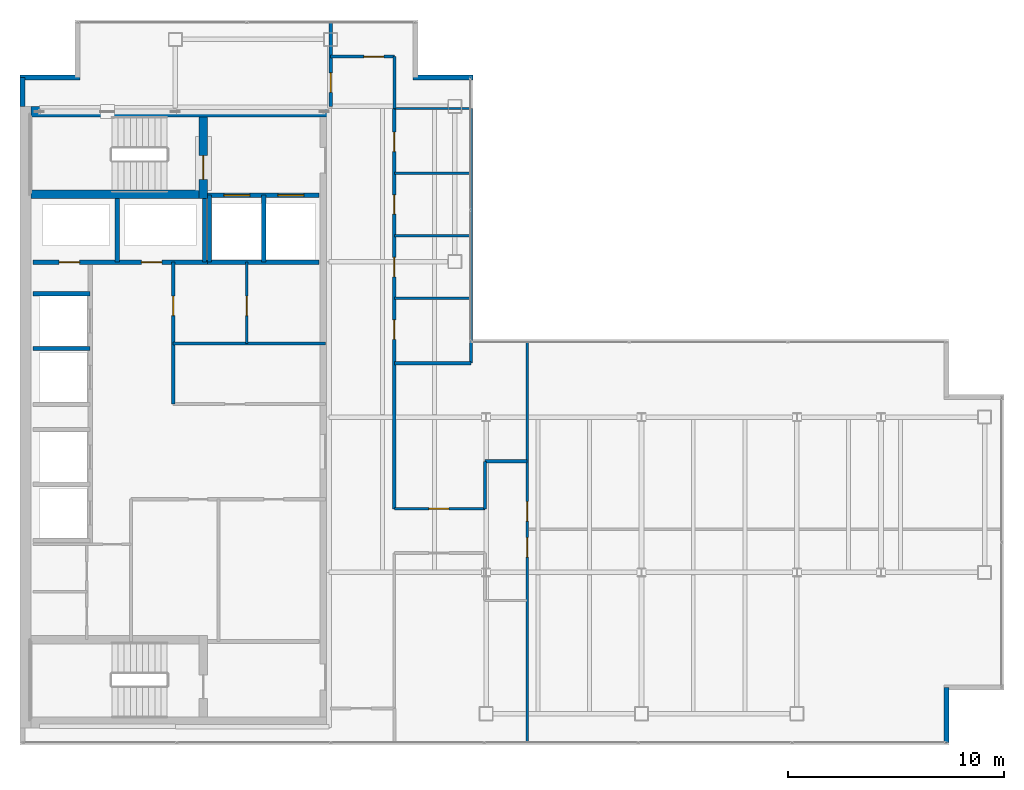
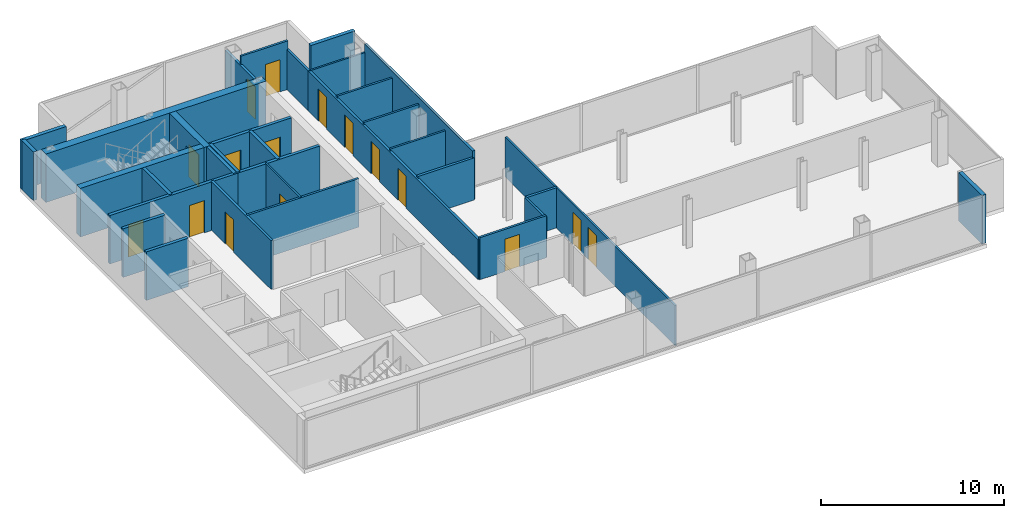
# One storey, part 21 of 23: 33 walls, 16 doors, 16 openings.
"""IFC4 building model written with IfcOpenShell, lengths in metres."""

from ifc_helpers import new_model, si_unit, direction, frame, frame_2d, origin, place, context, subcontext, project, spatial, rectangle, extrude, material, layer, layer_set, type_object, element, fill, save


model = new_model("IFC4")

# Units and contexts
model_context = context("Model", 3, precision=1e-05, world=origin(), true_north=direction((0.0, 1.0)))
body_context = subcontext(model_context, "Body", "Model", "MODEL_VIEW")
ifc_project = project(units=[si_unit("LENGTHUNIT", "METRE"), si_unit("AREAUNIT", "SQUARE_METRE"), si_unit("VOLUMEUNIT", "CUBIC_METRE"), si_unit("PLANEANGLEUNIT", "RADIAN"), si_unit("MASSUNIT", "GRAM", prefix="KILO")], contexts=[model_context])

# Site, building, storey
site_placement = place(None, origin())
site = spatial("IfcSite", under=ifc_project, at=site_placement, CompositionType="ELEMENT")
building_placement = place(site_placement, origin())
building = spatial("IfcBuilding", under=site, at=building_placement, Name="Cobrela Telecom Tower", CompositionType="ELEMENT")
storey_placement = place(building_placement, frame((0.0, 0.0, 258.64990234375)))
storey = spatial("IfcBuildingStorey", under=building, at=storey_placement, Name="L67", CompositionType="ELEMENT", Elevation=258.64990234375)

# Walls
ifc_material_1 = material(Name="Concrete C40/50", Category="concrete")
ifc_layer_1 = layer(ifc_material_1, 0.5)
ifc_layer_set_1 = layer_set([ifc_layer_1], Name="Concrete C40/50")
wall_type_1 = type_object("IfcWallType", Name="WALL-CORE-C40-500", PredefinedType="SHEAR", material=ifc_layer_set_1)
wall_1_placement = place(storey_placement, frame((0.5, 35.75, 0.0), z_axis=(0.0, 0.0, 1.0), x_axis=(1.0, 0.0, 0.0)))
element("IfcWall", 1, at=wall_1_placement, inside=storey, type_object=wall_type_1, Name="L67 North Core Shear Wall", PredefinedType="SHEAR", context=body_context, shape_type="SweptSolid", body=[
    extrude(rectangle(XDim=13.89990234375, YDim=0.5, at=frame_2d((6.949951171875, 0.0))), origin(), (0.0, 0.0, 1.0), 3.239990234375),
])
ifc_layer_2 = layer(ifc_material_1, 0.239990234375)
ifc_layer_set_2 = layer_set([ifc_layer_2], Name="Concrete C40/50")
wall_type_2 = type_object("IfcWallType", Name="WALL-EXT-300", PredefinedType="STANDARD", material=ifc_layer_set_2)
wall_2_placement = place(storey_placement, frame((0.1201171875, 36.0, 0.0), z_axis=(0.0, 0.0, 1.0), x_axis=(0.0, 1.0, 0.0)))
element("IfcWall", 2, at=wall_2_placement, inside=storey, type_object=wall_type_2, Name="L67 Insulated Facade Wall 02", PredefinedType="STANDARD", context=body_context, shape_type="SweptSolid", body=[
    extrude(rectangle(XDim=1.330078125, YDim=0.239990234375, at=frame_2d((0.6650390625, 0.0))), origin(), (0.0, 0.0, 1.0), 3.239990234375),
])
for number, where, z_axis, x_axis, name in (
    (3, (0.0, 37.330078125, 0.0), (0.0, 0.0, 1.0), (1.0, 0.0, 0.0), "L67 Insulated Facade Wall 03"),
    (4, (18.2099609375, 37.330078125, 0.0), (0.0, 0.0, 1.0), (1.0, 0.0, 0.0), "L67 Insulated Facade Wall 07"),
):
    element("IfcWall", number, at=place(storey_placement, frame(where, z_axis=z_axis, x_axis=x_axis)), inside=storey, type_object=wall_type_2, Name=name, PredefinedType="STANDARD", context=body_context, shape_type="SweptSolid", body=[
        extrude(rectangle(XDim=2.7900390625, YDim=0.239990234375, at=frame_2d((1.39501953125, 0.0))), origin(), (0.0, 0.0, 1.0), 3.239990234375),
    ])
wall_3_placement = place(storey_placement, frame((42.929931640625, 9.070068359375, 0.0), z_axis=(0.0, 0.0, 1.0), x_axis=(0.0, -1.0, 0.0)))
element("IfcWall", 5, at=wall_3_placement, inside=storey, type_object=wall_type_2, Name="L67 Insulated Facade Wall 14", PredefinedType="STANDARD", context=body_context, shape_type="SweptSolid", body=[
    extrude(rectangle(XDim=2.550048828125, YDim=0.239990234375, at=frame_2d((1.27490234375, 0.0))), origin(), (0.0, 0.0, 1.0), 3.239990234375),
])

# Wall, opening, door
ifc_material_2 = material(Name="Fire-Rated Gypsum Plasterboard")
ifc_layer_3 = layer(ifc_material_2, 0.110107421875)
ifc_layer_set_3 = layer_set([ifc_layer_3], Name="Fire-Rated Gypsum Plasterboard")
wall_type_3 = type_object("IfcWallType", Name="WALL-PART-110", PredefinedType="PARTITIONING", material=ifc_layer_set_3)
wall_4_placement = place(storey_placement, frame((10.5, 25.0, 0.0), z_axis=(0.0, 0.0, 1.0), x_axis=(0.0, 1.0, 0.0)))
wall_4 = element("IfcWall", 6, at=wall_4_placement, inside=storey, type_object=wall_type_3, Name="L67 Interior Partition CW-RECL-VN", PredefinedType="PARTITIONING", context=body_context, shape_type="SweptSolid", body=[
    extrude(rectangle(XDim=3.780029296875, YDim=0.110107421875, at=frame_2d((1.89013671875, 0.0))), origin(), (0.0, 0.0, 1.0), 3.239990234375),
])
opening_1_placement = place(wall_4_placement, frame((1.300048828125, 0.0, 0.0)))
opening_1 = element("IfcOpeningElement", 7, at=opening_1_placement, cuts=wall_4, Name="Opening DR-41", PredefinedType="OPENING", context=body_context, shape_type="SweptSolid", body=[
    extrude(rectangle(XDim=0.89990234375, YDim=2.14990234375, at=frame_2d((0.449951171875, 1.074951171875))), frame((0.0, 0.06689453125, 0.0), z_axis=(0.0, -1.0, 0.0), x_axis=(1.0, 0.0, 0.0)), (0.0, 0.0, 1.0), 0.134033203125),
])
ifc_material_3 = material(Name="Solid Engineered Oak Timber", Category="wood")
door_type_1 = type_object("IfcDoorType", Name="DOOR-INT-900", OperationType="SINGLE_SWING_LEFT", PredefinedType="DOOR", material=ifc_material_3)
door_1_placement = place(opening_1_placement, origin())
door_1 = element("IfcDoor", 8, at=door_1_placement, inside=storey, type_object=door_type_1, Name="L67 Door DR-41", OperationType="SINGLE_SWING_LEFT", OverallHeight=2.14990234375, OverallWidth=0.89990234375, PredefinedType="DOOR", context=body_context, shape_type="SweptSolid", body=[
    extrude(rectangle(XDim=0.89990234375, YDim=2.14990234375, at=frame_2d((0.449951171875, 1.074951171875))), frame((0.0, 0.02490234375, 0.0), z_axis=(0.0, -1.0, 0.0), x_axis=(1.0, 0.0, 0.0)), (0.0, 0.0, 1.0), 0.050048828125),
])
fill(opening_1, door_1)

# Wall, openings, doors
wall_5_placement = place(storey_placement, frame((23.5, 6.52001953125, 0.0), z_axis=(0.0, 0.0, 1.0), x_axis=(0.0, 1.0, 0.0)))
wall_5 = element("IfcWall", 9, at=wall_5_placement, inside=storey, type_object=wall_type_3, Name="L67 Interior Partition W-C-END", PredefinedType="PARTITIONING", context=body_context, shape_type="SweptSolid", body=[
    extrude(rectangle(XDim=18.56005859375, YDim=0.110107421875, at=frame_2d((9.280029296875, 0.0))), origin(), (0.0, 0.0, 1.0), 2.676025390625),
])
opening_2_placement = place(wall_5_placement, frame((8.590087890625, 0.0, 0.0)))
opening_2 = element("IfcOpeningElement", 10, at=opening_2_placement, cuts=wall_5, Name="Opening DR-41", PredefinedType="OPENING", context=body_context, shape_type="SweptSolid", body=[
    extrude(rectangle(XDim=0.89990234375, YDim=2.14990234375, at=frame_2d((0.449951171875, 1.074951171875))), frame((0.0, 0.06689453125, 0.0), z_axis=(0.0, -1.0, 0.0), x_axis=(1.0, 0.0, 0.0)), (0.0, 0.0, 1.0), 0.134033203125),
])
opening_3_placement = place(wall_5_placement, frame((10.260009765625, 0.0, 0.0)))
opening_3 = element("IfcOpeningElement", 11, at=opening_3_placement, cuts=wall_5, Name="Opening DR-41", PredefinedType="OPENING", context=body_context, shape_type="SweptSolid", body=[
    extrude(rectangle(XDim=0.89990234375, YDim=2.14990234375, at=frame_2d((0.449951171875, 1.074951171875))), frame((0.0, 0.06689453125, 0.0), z_axis=(0.0, -1.0, 0.0), x_axis=(1.0, 0.0, 0.0)), (0.0, 0.0, 1.0), 0.134033203125),
])
door_2_placement = place(opening_2_placement, origin())
door_2 = element("IfcDoor", 12, at=door_2_placement, inside=storey, type_object=door_type_1, Name="L67 Door DR-41", OperationType="SINGLE_SWING_LEFT", OverallHeight=2.14990234375, OverallWidth=0.89990234375, PredefinedType="DOOR", context=body_context, shape_type="SweptSolid", body=[
    extrude(rectangle(XDim=0.89990234375, YDim=2.14990234375, at=frame_2d((0.449951171875, 1.074951171875))), frame((0.0, 0.02490234375, 0.0), z_axis=(0.0, -1.0, 0.0), x_axis=(1.0, 0.0, 0.0)), (0.0, 0.0, 1.0), 0.050048828125),
])
fill(opening_2, door_2)
door_3_placement = place(opening_3_placement, origin())
door_3 = element("IfcDoor", 13, at=door_3_placement, inside=storey, type_object=door_type_1, Name="L67 Door DR-41", OperationType="SINGLE_SWING_RIGHT", OverallHeight=2.14990234375, OverallWidth=0.89990234375, PredefinedType="DOOR", context=body_context, shape_type="SweptSolid", body=[
    extrude(rectangle(XDim=0.89990234375, YDim=2.14990234375, at=frame_2d((0.449951171875, 1.074951171875))), frame((0.0, 0.02490234375, 0.0), z_axis=(0.0, -1.0, 0.0), x_axis=(1.0, 0.0, 0.0)), (0.0, 0.0, 1.0), 0.050048828125),
])
fill(opening_3, door_3)

# Walls
wall_6_placement = place(storey_placement, frame((17.35009765625, 35.89990234375, 0.0), z_axis=(0.0, 0.0, 1.0), x_axis=(1.0, 0.0, 0.0)))
element("IfcWall", 14, at=wall_6_placement, inside=storey, type_object=wall_type_3, Name="L67 Interior Partition W-NW2-S", PredefinedType="PARTITIONING", context=body_context, shape_type="SweptSolid", body=[
    extrude(rectangle(XDim=3.52978515625, YDim=0.110107421875, at=frame_2d((1.764892578125, 0.0))), origin(), (0.0, 0.0, 1.0), 2.676025390625),
])
ifc_layer_4 = layer(ifc_material_2, 0.125)
ifc_layer_set_4 = layer_set([ifc_layer_4], Name="Fire-Rated Gypsum Plasterboard")
wall_type_4 = type_object("IfcWallType", Name="WALL-PART-125", PredefinedType="PARTITIONING", material=ifc_layer_set_4)
for number, where, z_axis, x_axis, name in (
    (15, (17.35009765625, 27.10009765625, 0.0), (0.0, 0.0, 1.0), (1.0, 0.0, 0.0), "L67 Interior Partition W-WCD-1"),
    (16, (17.35009765625, 30.0, 0.0), (0.0, 0.0, 1.0), (1.0, 0.0, 0.0), "L67 Interior Partition W-WCD-2"),
    (17, (17.35009765625, 32.89990234375, 0.0), (0.0, 0.0, 1.0), (1.0, 0.0, 0.0), "L67 Interior Partition W-WCD-3"),
):
    element("IfcWall", number, at=place(storey_placement, frame(where, z_axis=z_axis, x_axis=x_axis)), inside=storey, type_object=wall_type_4, Name=name, PredefinedType="PARTITIONING", context=body_context, shape_type="SweptSolid", body=[
        extrude(rectangle(XDim=3.5498046875, YDim=0.125, at=frame_2d((1.77490234375, 0.0))), origin(), (0.0, 0.0, 1.0), 2.80810546875),
    ])
ifc_layer_5 = layer(ifc_material_2, 0.135009765625)
ifc_layer_set_5 = layer_set([ifc_layer_5], Name="Fire-Rated Gypsum Plasterboard")
wall_type_5 = type_object("IfcWallType", Name="WALL-PART-135", PredefinedType="PARTITIONING", material=ifc_layer_set_5)
wall_7_placement = place(storey_placement, frame((7.10009765625, 25.0, 0.0), z_axis=(0.0, 0.0, 1.0), x_axis=(1.0, 0.0, 0.0)))
element("IfcWall", 18, at=wall_7_placement, inside=storey, type_object=wall_type_5, Name="L67 Interior Partition CW-RECL-H", PredefinedType="PARTITIONING", context=body_context, shape_type="SweptSolid", body=[
    extrude(rectangle(XDim=7.0498046875, YDim=0.135009765625, at=frame_2d((3.52490234375, 0.0))), origin(), (0.0, 0.0, 1.0), 3.239990234375),
])

# Wall, opening, door
wall_8_placement = place(storey_placement, frame((17.35009765625, 17.35009765625, 0.0), z_axis=(0.0, 0.0, 1.0), x_axis=(1.0, 0.0, 0.0)))
wall_8 = element("IfcWall", 19, at=wall_8_placement, inside=storey, type_object=wall_type_5, Name="L67 Interior Partition W-C-HN", PredefinedType="PARTITIONING", context=body_context, shape_type="SweptSolid", body=[
    extrude(rectangle(XDim=4.199951171875, YDim=0.135009765625, at=frame_2d((2.10009765625, 0.0))), origin(), (0.0, 0.0, 1.0), 2.80810546875),
])
opening_4_placement = place(wall_8_placement, frame((1.60009765625, 0.0, 0.0)))
opening_4 = element("IfcOpeningElement", 20, at=opening_4_placement, cuts=wall_8, Name="Opening DR-45", PredefinedType="OPENING", context=body_context, shape_type="SweptSolid", body=[
    extrude(rectangle(XDim=0.919921875, YDim=2.14990234375, at=frame_2d((0.4599609375, 1.074951171875))), frame((0.0, 0.07958984375, 0.0), z_axis=(0.0, -1.0, 0.0), x_axis=(1.0, 0.0, 0.0)), (0.0, 0.0, 1.0), 0.158935546875),
])
door_type_2 = type_object("IfcDoorType", Name="DOOR-INT-920", OperationType="SINGLE_SWING_LEFT", PredefinedType="DOOR", material=ifc_material_3)
door_4_placement = place(opening_4_placement, origin())
door_4 = element("IfcDoor", 21, at=door_4_placement, inside=storey, type_object=door_type_2, Name="L67 Door DR-45", OperationType="SINGLE_SWING_LEFT", OverallHeight=2.14990234375, OverallWidth=0.919921875, PredefinedType="DOOR", context=body_context, shape_type="SweptSolid", body=[
    extrude(rectangle(XDim=0.919921875, YDim=2.14990234375, at=frame_2d((0.4599609375, 1.074951171875))), frame((0.0, 0.02490234375, 0.0), z_axis=(0.0, -1.0, 0.0), x_axis=(1.0, 0.0, 0.0)), (0.0, 0.0, 1.0), 0.050048828125),
])
fill(opening_4, door_4)

# Wall
wall_9_placement = place(storey_placement, frame((21.550048828125, 17.35009765625, 0.0), z_axis=(0.0, 0.0, 1.0), x_axis=(0.0, 1.0, 0.0)))
element("IfcWall", 22, at=wall_9_placement, inside=storey, type_object=wall_type_5, Name="L67 Interior Partition W-CT-JW2", PredefinedType="PARTITIONING", context=body_context, shape_type="SweptSolid", body=[
    extrude(rectangle(XDim=2.199951171875, YDim=0.135009765625, at=frame_2d((1.10009765625, 0.0))), origin(), (0.0, 0.0, 1.0), 2.676025390625),
])

# Wall, opening, door
wall_10_placement = place(storey_placement, frame((14.39990234375, 38.300048828125, 0.0), z_axis=(0.0, 0.0, 1.0), x_axis=(1.0, 0.0, 0.0)))
wall_10 = element("IfcWall", 23, at=wall_10_placement, inside=storey, type_object=wall_type_5, Name="L67 Interior Partition W-CN-T", PredefinedType="PARTITIONING", context=body_context, shape_type="SweptSolid", body=[
    extrude(rectangle(XDim=2.9501953125, YDim=0.135009765625, at=frame_2d((1.47509765625, 0.0))), origin(), (0.0, 0.0, 1.0), 3.239990234375),
])
opening_5_placement = place(wall_10_placement, frame((1.5400390625, 0.0, 0.0)))
opening_5 = element("IfcOpeningElement", 24, at=opening_5_placement, cuts=wall_10, Name="Opening DR-45", PredefinedType="OPENING", context=body_context, shape_type="SweptSolid", body=[
    extrude(rectangle(XDim=0.919921875, YDim=2.14990234375, at=frame_2d((0.4599609375, 1.074951171875))), frame((0.0, 0.07958984375, 0.0), z_axis=(0.0, -1.0, 0.0), x_axis=(1.0, 0.0, 0.0)), (0.0, 0.0, 1.0), 0.158935546875),
])
door_5_placement = place(opening_5_placement, origin())
door_5 = element("IfcDoor", 25, at=door_5_placement, inside=storey, type_object=door_type_2, Name="L67 Door DR-45", OperationType="SINGLE_SWING_RIGHT", OverallHeight=2.14990234375, OverallWidth=0.919921875, PredefinedType="DOOR", context=body_context, shape_type="SweptSolid", body=[
    extrude(rectangle(XDim=0.919921875, YDim=2.14990234375, at=frame_2d((0.4599609375, 1.074951171875))), frame((0.0, 0.02490234375, 0.0), z_axis=(0.0, -1.0, 0.0), x_axis=(1.0, 0.0, 0.0)), (0.0, 0.0, 1.0), 0.050048828125),
])
fill(opening_5, door_5)

# Walls
ifc_layer_6 = layer(ifc_material_2, 0.14990234375)
ifc_layer_set_6 = layer_set([ifc_layer_6], Name="Fire-Rated Gypsum Plasterboard")
wall_type_6 = type_object("IfcWallType", Name="WALL-PART-150", PredefinedType="PARTITIONING", material=ifc_layer_set_6)
wall_11_placement = place(storey_placement, frame((17.35009765625, 35.89990234375, 0.0), z_axis=(0.0, 0.0, 1.0), x_axis=(0.0, 1.0, 0.0)))
element("IfcWall", 26, at=wall_11_placement, inside=storey, type_object=wall_type_6, Name="L67 Interior Partition W-CN-E", PredefinedType="PARTITIONING", context=body_context, shape_type="SweptSolid", body=[
    extrude(rectangle(XDim=2.400146484375, YDim=0.14990234375, at=frame_2d((1.2001953125, 0.0))), origin(), (0.0, 0.0, 1.0), 2.676025390625),
])
wall_12_placement = place(storey_placement, frame((20.89990234375, 24.10009765625, 0.0), z_axis=(0.0, 0.0, 1.0), x_axis=(0.0, 1.0, 0.0)))
element("IfcWall", 27, at=wall_12_placement, inside=storey, type_object=wall_type_6, Name="L67 Interior Partition W-WC-E", PredefinedType="PARTITIONING", context=body_context, shape_type="SweptSolid", body=[
    extrude(rectangle(XDim=11.7998046875, YDim=0.14990234375, at=frame_2d((5.89990234375, 0.0))), origin(), (0.0, 0.0, 1.0), 3.239990234375),
])

# Wall, opening, door
ifc_layer_7 = layer(ifc_material_2, 0.159912109375)
ifc_layer_set_7 = layer_set([ifc_layer_7], Name="Fire-Rated Gypsum Plasterboard")
wall_type_7 = type_object("IfcWallType", Name="WALL-PART-160", PredefinedType="PARTITIONING", material=ifc_layer_set_7)
wall_13_placement = place(storey_placement, frame((7.10009765625, 22.199951171875, 0.0), z_axis=(0.0, 0.0, 1.0), x_axis=(0.0, 1.0, 0.0)))
wall_13 = element("IfcWall", 28, at=wall_13_placement, inside=storey, type_object=wall_type_7, Name="L67 Interior Partition CW-RECL-W", PredefinedType="PARTITIONING", context=body_context, shape_type="SweptSolid", body=[
    extrude(rectangle(XDim=6.580078125, YDim=0.159912109375, at=frame_2d((3.2900390625, 0.0))), origin(), (0.0, 0.0, 1.0), 3.239990234375),
])
opening_6_placement = place(wall_13_placement, frame((4.10009765625, 0.0, 0.0)))
opening_6 = element("IfcOpeningElement", 29, at=opening_6_placement, cuts=wall_13, Name="Opening DR-41", PredefinedType="OPENING", context=body_context, shape_type="SweptSolid", body=[
    extrude(rectangle(XDim=0.89990234375, YDim=2.14990234375, at=frame_2d((0.449951171875, 1.074951171875))), frame((0.0, 0.091796875, 0.0), z_axis=(0.0, -1.0, 0.0), x_axis=(1.0, 0.0, 0.0)), (0.0, 0.0, 1.0), 0.183837890625),
])
door_6_placement = place(opening_6_placement, origin())
door_6 = element("IfcDoor", 30, at=door_6_placement, inside=storey, type_object=door_type_1, Name="L67 Door DR-41", OperationType="SINGLE_SWING_RIGHT", OverallHeight=2.14990234375, OverallWidth=0.89990234375, PredefinedType="DOOR", context=body_context, shape_type="SweptSolid", body=[
    extrude(rectangle(XDim=0.89990234375, YDim=2.14990234375, at=frame_2d((0.449951171875, 1.074951171875))), frame((0.0, 0.02490234375, 0.0), z_axis=(0.0, -1.0, 0.0), x_axis=(1.0, 0.0, 0.0)), (0.0, 0.0, 1.0), 0.050048828125),
])
fill(opening_6, door_6)

# Wall, openings, doors
wall_14_placement = place(storey_placement, frame((17.35009765625, 17.35009765625, 0.0), z_axis=(0.0, 0.0, 1.0), x_axis=(0.0, 1.0, 0.0)))
wall_14 = element("IfcWall", 31, at=wall_14_placement, inside=storey, type_object=wall_type_7, Name="L67 Interior Partition W-C-E2", PredefinedType="PARTITIONING", context=body_context, shape_type="SweptSolid", body=[
    extrude(rectangle(XDim=18.5498046875, YDim=0.159912109375, at=frame_2d((9.27490234375, 0.0))), origin(), (0.0, 0.0, 1.0), 2.676025390625),
])
opening_7_placement = place(wall_14_placement, frame((7.85009765625, 0.0, 0.0)))
opening_7 = element("IfcOpeningElement", 32, at=opening_7_placement, cuts=wall_14, Name="Opening DR-41", PredefinedType="OPENING", context=body_context, shape_type="SweptSolid", body=[
    extrude(rectangle(XDim=0.89990234375, YDim=2.14990234375, at=frame_2d((0.449951171875, 1.074951171875))), frame((0.0, 0.091796875, 0.0), z_axis=(0.0, -1.0, 0.0), x_axis=(1.0, 0.0, 0.0)), (0.0, 0.0, 1.0), 0.183837890625),
])
opening_8_placement = place(wall_14_placement, frame((10.75, 0.0, 0.0)))
opening_8 = element("IfcOpeningElement", 33, at=opening_8_placement, cuts=wall_14, Name="Opening DR-41", PredefinedType="OPENING", context=body_context, shape_type="SweptSolid", body=[
    extrude(rectangle(XDim=0.89990234375, YDim=2.14990234375, at=frame_2d((0.449951171875, 1.074951171875))), frame((0.0, 0.091796875, 0.0), z_axis=(0.0, -1.0, 0.0), x_axis=(1.0, 0.0, 0.0)), (0.0, 0.0, 1.0), 0.183837890625),
])
opening_9_placement = place(wall_14_placement, frame((13.64990234375, 0.0, 0.0)))
opening_9 = element("IfcOpeningElement", 34, at=opening_9_placement, cuts=wall_14, Name="Opening DR-41", PredefinedType="OPENING", context=body_context, shape_type="SweptSolid", body=[
    extrude(rectangle(XDim=0.89990234375, YDim=2.14990234375, at=frame_2d((0.449951171875, 1.074951171875))), frame((0.0, 0.091796875, 0.0), z_axis=(0.0, -1.0, 0.0), x_axis=(1.0, 0.0, 0.0)), (0.0, 0.0, 1.0), 0.183837890625),
])
opening_10_placement = place(wall_14_placement, frame((16.550048828125, 0.0, 0.0)))
opening_10 = element("IfcOpeningElement", 35, at=opening_10_placement, cuts=wall_14, Name="Opening DR-41", PredefinedType="OPENING", context=body_context, shape_type="SweptSolid", body=[
    extrude(rectangle(XDim=0.89990234375, YDim=2.14990234375, at=frame_2d((0.449951171875, 1.074951171875))), frame((0.0, 0.091796875, 0.0), z_axis=(0.0, -1.0, 0.0), x_axis=(1.0, 0.0, 0.0)), (0.0, 0.0, 1.0), 0.183837890625),
])
door_7_placement = place(opening_7_placement, origin())
door_7 = element("IfcDoor", 36, at=door_7_placement, inside=storey, type_object=door_type_1, Name="L67 Door DR-41", OperationType="SINGLE_SWING_LEFT", OverallHeight=2.14990234375, OverallWidth=0.89990234375, PredefinedType="DOOR", context=body_context, shape_type="SweptSolid", body=[
    extrude(rectangle(XDim=0.89990234375, YDim=2.14990234375, at=frame_2d((0.449951171875, 1.074951171875))), frame((0.0, 0.02490234375, 0.0), z_axis=(0.0, -1.0, 0.0), x_axis=(1.0, 0.0, 0.0)), (0.0, 0.0, 1.0), 0.050048828125),
])
fill(opening_7, door_7)
door_8_placement = place(opening_8_placement, origin())
door_8 = element("IfcDoor", 37, at=door_8_placement, inside=storey, type_object=door_type_1, Name="L67 Door DR-41", OperationType="SINGLE_SWING_RIGHT", OverallHeight=2.14990234375, OverallWidth=0.89990234375, PredefinedType="DOOR", context=body_context, shape_type="SweptSolid", body=[
    extrude(rectangle(XDim=0.89990234375, YDim=2.14990234375, at=frame_2d((0.449951171875, 1.074951171875))), frame((0.0, 0.02490234375, 0.0), z_axis=(0.0, -1.0, 0.0), x_axis=(1.0, 0.0, 0.0)), (0.0, 0.0, 1.0), 0.050048828125),
])
fill(opening_8, door_8)
door_9_placement = place(opening_9_placement, origin())
door_9 = element("IfcDoor", 38, at=door_9_placement, inside=storey, type_object=door_type_1, Name="L67 Door DR-41", OperationType="SINGLE_SWING_LEFT", OverallHeight=2.14990234375, OverallWidth=0.89990234375, PredefinedType="DOOR", context=body_context, shape_type="SweptSolid", body=[
    extrude(rectangle(XDim=0.89990234375, YDim=2.14990234375, at=frame_2d((0.449951171875, 1.074951171875))), frame((0.0, 0.02490234375, 0.0), z_axis=(0.0, -1.0, 0.0), x_axis=(1.0, 0.0, 0.0)), (0.0, 0.0, 1.0), 0.050048828125),
])
fill(opening_9, door_9)
door_10_placement = place(opening_10_placement, origin())
door_10 = element("IfcDoor", 39, at=door_10_placement, inside=storey, type_object=door_type_1, Name="L67 Door DR-41", OperationType="SINGLE_SWING_RIGHT", OverallHeight=2.14990234375, OverallWidth=0.89990234375, PredefinedType="DOOR", context=body_context, shape_type="SweptSolid", body=[
    extrude(rectangle(XDim=0.89990234375, YDim=2.14990234375, at=frame_2d((0.449951171875, 1.074951171875))), frame((0.0, 0.02490234375, 0.0), z_axis=(0.0, -1.0, 0.0), x_axis=(1.0, 0.0, 0.0)), (0.0, 0.0, 1.0), 0.050048828125),
])
fill(opening_10, door_10)

# Wall
wall_15_placement = place(storey_placement, frame((21.550048828125, 19.550048828125, 0.0), z_axis=(0.0, 0.0, 1.0), x_axis=(1.0, 0.0, 0.0)))
element("IfcWall", 40, at=wall_15_placement, inside=storey, type_object=wall_type_7, Name="L67 Interior Partition W-CT-N", PredefinedType="PARTITIONING", context=body_context, shape_type="SweptSolid", body=[
    extrude(rectangle(XDim=1.949951171875, YDim=0.159912109375, at=frame_2d((0.97509765625, 0.0))), origin(), (0.0, 0.0, 1.0), 2.676025390625),
])

# Wall, opening, door
wall_16_placement = place(storey_placement, frame((14.39990234375, 36.0, 0.0), z_axis=(0.0, 0.0, 1.0), x_axis=(0.0, 1.0, 0.0)))
wall_16 = element("IfcWall", 41, at=wall_16_placement, inside=storey, type_object=wall_type_7, Name="L67 Interior Partition W-CN-W", PredefinedType="PARTITIONING", context=body_context, shape_type="SweptSolid", body=[
    extrude(rectangle(XDim=3.8798828125, YDim=0.159912109375, at=frame_2d((1.93994140625, 0.0))), origin(), (0.0, 0.0, 1.0), 2.676025390625),
])
opening_11_placement = place(wall_16_placement, frame((0.64990234375, 0.0, 0.0)))
opening_11 = element("IfcOpeningElement", 42, at=opening_11_placement, cuts=wall_16, Name="Opening DR-41", PredefinedType="OPENING", context=body_context, shape_type="SweptSolid", body=[
    extrude(rectangle(XDim=0.89990234375, YDim=2.14990234375, at=frame_2d((0.449951171875, 1.074951171875))), frame((0.0, 0.091796875, 0.0), z_axis=(0.0, -1.0, 0.0), x_axis=(1.0, 0.0, 0.0)), (0.0, 0.0, 1.0), 0.183837890625),
])
door_11_placement = place(opening_11_placement, origin())
door_11 = element("IfcDoor", 43, at=door_11_placement, inside=storey, type_object=door_type_1, Name="L67 Door DR-41", OperationType="SINGLE_SWING_LEFT", OverallHeight=2.14990234375, OverallWidth=0.89990234375, PredefinedType="DOOR", context=body_context, shape_type="SweptSolid", body=[
    extrude(rectangle(XDim=0.89990234375, YDim=2.14990234375, at=frame_2d((0.449951171875, 1.074951171875))), frame((0.0, 0.02490234375, 0.0), z_axis=(0.0, -1.0, 0.0), x_axis=(1.0, 0.0, 0.0)), (0.0, 0.0, 1.0), 0.050048828125),
])
fill(opening_11, door_11)

# Wall
wall_17_placement = place(storey_placement, frame((17.35009765625, 24.10009765625, 0.0), z_axis=(0.0, 0.0, 1.0), x_axis=(1.0, 0.0, 0.0)))
element("IfcWall", 44, at=wall_17_placement, inside=storey, type_object=wall_type_7, Name="L67 Interior Partition W-WC-S", PredefinedType="PARTITIONING", context=body_context, shape_type="SweptSolid", body=[
    extrude(rectangle(XDim=3.5498046875, YDim=0.159912109375, at=frame_2d((1.77490234375, 0.0))), origin(), (0.0, 0.0, 1.0), 2.80810546875),
])

# Wall, openings, doors
ifc_layer_8 = layer(ifc_material_2, 0.199951171875)
ifc_layer_set_8 = layer_set([ifc_layer_8], Name="Fire-Rated Gypsum Plasterboard")
wall_type_8 = type_object("IfcWallType", Name="WALL-SHAFT-200", PredefinedType="PARTITIONING", material=ifc_layer_set_8)
wall_18_placement = place(storey_placement, frame((8.699951171875, 31.8798828125, 0.0), z_axis=(0.0, 0.0, 1.0), x_axis=(1.0, 0.0, 0.0)))
wall_18 = element("IfcWall", 45, at=wall_18_placement, inside=storey, type_object=wall_type_8, Name="L67 Shaft Enclosure CW-FFL-S", PredefinedType="PARTITIONING", context=body_context, shape_type="SweptSolid", body=[
    extrude(rectangle(XDim=5.150146484375, YDim=0.199951171875, at=frame_2d((2.5751953125, 0.0))), origin(), (0.0, 0.0, 1.0), 3.239990234375),
])
opening_12_placement = place(wall_18_placement, frame((0.75, 0.0, 0.0)))
opening_12 = element("IfcOpeningElement", 46, at=opening_12_placement, cuts=wall_18, Name="Opening LD-2", PredefinedType="OPENING", context=body_context, shape_type="SweptSolid", body=[
    extrude(rectangle(XDim=1.199951171875, YDim=2.199951171875, at=frame_2d((0.60009765625, 1.10009765625))), frame((0.0, 0.11181640625, 0.0), z_axis=(0.0, -1.0, 0.0), x_axis=(1.0, 0.0, 0.0)), (0.0, 0.0, 1.0), 0.223876953125),
])
opening_13_placement = place(wall_18_placement, frame((3.25, 0.0, 0.0)))
opening_13 = element("IfcOpeningElement", 47, at=opening_13_placement, cuts=wall_18, Name="Opening LD-2", PredefinedType="OPENING", context=body_context, shape_type="SweptSolid", body=[
    extrude(rectangle(XDim=1.199951171875, YDim=2.199951171875, at=frame_2d((0.60009765625, 1.10009765625))), frame((0.0, 0.11181640625, 0.0), z_axis=(0.0, -1.0, 0.0), x_axis=(1.0, 0.0, 0.0)), (0.0, 0.0, 1.0), 0.223876953125),
])
ifc_material_4 = material(Name="Steel ASTM A36", Category="steel")
door_type_3 = type_object("IfcDoorType", Name="DOOR-LD-FFL", OperationType="SINGLE_SWING_LEFT", PredefinedType="DOOR", material=ifc_material_4)
door_12_placement = place(opening_12_placement, origin())
door_12 = element("IfcDoor", 48, at=door_12_placement, inside=storey, type_object=door_type_3, Name="L67 Lift Landing Door LD-2", OperationType="DOUBLE_DOOR_SLIDING", OverallHeight=2.199951171875, OverallWidth=1.199951171875, PredefinedType="DOOR", context=body_context, shape_type="SweptSolid", body=[
    extrude(rectangle(XDim=1.199951171875, YDim=2.199951171875, at=frame_2d((0.60009765625, 1.10009765625))), frame((0.0, 0.02490234375, 0.0), z_axis=(0.0, -1.0, 0.0), x_axis=(1.0, 0.0, 0.0)), (0.0, 0.0, 1.0), 0.050048828125),
])
fill(opening_12, door_12)
door_13_placement = place(opening_13_placement, origin())
door_13 = element("IfcDoor", 49, at=door_13_placement, inside=storey, type_object=door_type_3, Name="L67 Lift Landing Door LD-2", OperationType="DOUBLE_DOOR_SLIDING", OverallHeight=2.199951171875, OverallWidth=1.199951171875, PredefinedType="DOOR", context=body_context, shape_type="SweptSolid", body=[
    extrude(rectangle(XDim=1.199951171875, YDim=2.199951171875, at=frame_2d((0.60009765625, 1.10009765625))), frame((0.0, 0.02490234375, 0.0), z_axis=(0.0, -1.0, 0.0), x_axis=(1.0, 0.0, 0.0)), (0.0, 0.0, 1.0), 0.050048828125),
])
fill(opening_13, door_13)

# Walls
wall_19_placement = place(storey_placement, frame((8.699951171875, 28.780029296875, 0.0), z_axis=(0.0, 0.0, 1.0), x_axis=(1.0, 0.0, 0.0)))
element("IfcWall", 50, at=wall_19_placement, inside=storey, type_object=wall_type_8, Name="L67 Shaft Enclosure CW-FFL-S2", PredefinedType="PARTITIONING", context=body_context, shape_type="SweptSolid", body=[
    extrude(rectangle(XDim=5.150146484375, YDim=0.199951171875, at=frame_2d((2.5751953125, 0.0))), origin(), (0.0, 0.0, 1.0), 3.239990234375),
])
for number, where, z_axis, x_axis, name in (
    (51, (8.780029296875, 28.780029296875, 0.0), (0.0, 0.0, 1.0), (0.0, 1.0, 0.0), "L67 Shaft Enclosure CW-FFL-W"),
    (52, (11.300048828125, 28.780029296875, 0.0), (0.0, 0.0, 1.0), (0.0, 1.0, 0.0), "L67 Shaft Enclosure CW-FFL-M"),
):
    element("IfcWall", number, at=place(storey_placement, frame(where, z_axis=z_axis, x_axis=x_axis)), inside=storey, type_object=wall_type_8, Name=name, PredefinedType="PARTITIONING", context=body_context, shape_type="SweptSolid", body=[
        extrude(rectangle(XDim=3.099853515625, YDim=0.199951171875, at=frame_2d((1.5498046875, 0.0))), origin(), (0.0, 0.0, 1.0), 3.239990234375),
    ])

# Wall, openings, doors
wall_20_placement = place(storey_placement, frame((0.60009765625, 28.780029296875, 0.0), z_axis=(0.0, 0.0, 1.0), x_axis=(1.0, 0.0, 0.0)))
wall_20 = element("IfcWall", 53, at=wall_20_placement, inside=storey, type_object=wall_type_8, Name="L67 Shaft Enclosure CW-RIS-S", PredefinedType="PARTITIONING", context=body_context, shape_type="SweptSolid", body=[
    extrude(rectangle(XDim=8.179931640625, YDim=0.199951171875, at=frame_2d((4.08984375, 0.0))), origin(), (0.0, 0.0, 1.0), 3.239990234375),
])
opening_14_placement = place(wall_20_placement, frame((1.2099609375, 0.0, 0.0)))
opening_14 = element("IfcOpeningElement", 54, at=opening_14_placement, cuts=wall_20, Name="Opening DR-65", PredefinedType="OPENING", context=body_context, shape_type="SweptSolid", body=[
    extrude(rectangle(XDim=0.949951171875, YDim=2.14990234375, at=frame_2d((0.47509765625, 1.074951171875))), frame((0.0, 0.11181640625, 0.0), z_axis=(0.0, -1.0, 0.0), x_axis=(1.0, 0.0, 0.0)), (0.0, 0.0, 1.0), 0.223876953125),
])
opening_15_placement = place(wall_20_placement, frame((5.030029296875, 0.0, 0.0)))
opening_15 = element("IfcOpeningElement", 55, at=opening_15_placement, cuts=wall_20, Name="Opening DR-65", PredefinedType="OPENING", context=body_context, shape_type="SweptSolid", body=[
    extrude(rectangle(XDim=0.949951171875, YDim=2.14990234375, at=frame_2d((0.47509765625, 1.074951171875))), frame((0.0, 0.11181640625, 0.0), z_axis=(0.0, -1.0, 0.0), x_axis=(1.0, 0.0, 0.0)), (0.0, 0.0, 1.0), 0.223876953125),
])
door_type_4 = type_object("IfcDoorType", Name="DOOR-FD60-950", OperationType="SINGLE_SWING_LEFT", PredefinedType="DOOR", material=ifc_material_4)
door_14_placement = place(opening_14_placement, origin())
door_14 = element("IfcDoor", 56, at=door_14_placement, inside=storey, type_object=door_type_4, Name="L67 Door DR-65", OperationType="SINGLE_SWING_LEFT", OverallHeight=2.14990234375, OverallWidth=0.949951171875, PredefinedType="DOOR", context=body_context, shape_type="SweptSolid", body=[
    extrude(rectangle(XDim=0.949951171875, YDim=2.14990234375, at=frame_2d((0.47509765625, 1.074951171875))), frame((0.0, 0.02490234375, 0.0), z_axis=(0.0, -1.0, 0.0), x_axis=(1.0, 0.0, 0.0)), (0.0, 0.0, 1.0), 0.050048828125),
])
fill(opening_14, door_14)
door_15_placement = place(opening_15_placement, origin())
door_15 = element("IfcDoor", 57, at=door_15_placement, inside=storey, type_object=door_type_4, Name="L67 Door DR-65", OperationType="SINGLE_SWING_RIGHT", OverallHeight=2.14990234375, OverallWidth=0.949951171875, PredefinedType="DOOR", context=body_context, shape_type="SweptSolid", body=[
    extrude(rectangle(XDim=0.949951171875, YDim=2.14990234375, at=frame_2d((0.47509765625, 1.074951171875))), frame((0.0, 0.02490234375, 0.0), z_axis=(0.0, -1.0, 0.0), x_axis=(1.0, 0.0, 0.0)), (0.0, 0.0, 1.0), 0.050048828125),
])
fill(opening_15, door_15)

# Walls
for number, where, z_axis, x_axis, name in (
    (58, (4.5, 28.780029296875, 0.0), (0.0, 0.0, 1.0), (0.0, 1.0, 0.0), "L67 Shaft Enclosure CW-RIS-M"),
    (59, (8.550048828125, 28.780029296875, 0.0), (0.0, 0.0, 1.0), (0.0, 1.0, 0.0), "L67 Shaft Enclosure CW-RIS-E"),
):
    element("IfcWall", number, at=place(storey_placement, frame(where, z_axis=z_axis, x_axis=x_axis)), inside=storey, type_object=wall_type_8, Name=name, PredefinedType="PARTITIONING", context=body_context, shape_type="SweptSolid", body=[
        extrude(rectangle(XDim=2.93994140625, YDim=0.199951171875, at=frame_2d((1.469970703125, 0.0))), origin(), (0.0, 0.0, 1.0), 3.239990234375),
    ])
for number, where, z_axis, x_axis, name in (
    (60, (0.60009765625, 24.780029296875, 0.0), (0.0, 0.0, 1.0), (1.0, 0.0, 0.0), "L67 Shaft Enclosure CW-PLH-D12"),
    (61, (0.60009765625, 27.320068359375, 0.0), (0.0, 0.0, 1.0), (1.0, 0.0, 0.0), "L67 Shaft Enclosure CW-PLH-TOP"),
):
    element("IfcWall", number, at=place(storey_placement, frame(where, z_axis=z_axis, x_axis=x_axis)), inside=storey, type_object=wall_type_8, Name=name, PredefinedType="PARTITIONING", context=body_context, shape_type="SweptSolid", body=[
        extrude(rectangle(XDim=2.64990234375, YDim=0.199951171875, at=frame_2d((1.324951171875, 0.0))), origin(), (0.0, 0.0, 1.0), 3.239990234375),
    ])
ifc_layer_9 = layer(ifc_material_1, 0.39990234375)
ifc_layer_set_9 = layer_set([ifc_layer_9], Name="Concrete C40/50")
wall_type_9 = type_object("IfcWallType", Name="WALL-SHAFT-C40-400", PredefinedType="SHEAR", material=ifc_layer_set_9)
wall_21_placement = place(storey_placement, frame((0.5, 31.919921875, 0.0), z_axis=(0.0, 0.0, 1.0), x_axis=(1.0, 0.0, 0.0)))
element("IfcWall", 62, at=wall_21_placement, inside=storey, type_object=wall_type_9, Name="L67 North Stair Shear Wall", PredefinedType="SHEAR", context=body_context, shape_type="SweptSolid", body=[
    extrude(rectangle(XDim=7.800048828125, YDim=0.39990234375, at=frame_2d((3.89990234375, 0.0))), origin(), (0.0, 0.0, 1.0), 3.239990234375),
])

# Wall, opening, door
wall_22_placement = place(storey_placement, frame((8.5, 31.719970703125, 0.0), z_axis=(0.0, 0.0, 1.0), x_axis=(0.0, 1.0, 0.0)))
wall_22 = element("IfcWall", 63, at=wall_22_placement, inside=storey, type_object=wall_type_9, Name="L67 North Stair Lobby Shear Wall", PredefinedType="SHEAR", context=body_context, shape_type="SweptSolid", body=[
    extrude(rectangle(XDim=3.780029296875, YDim=0.39990234375, at=frame_2d((1.89013671875, 0.0))), origin(), (0.0, 0.0, 1.0), 3.239990234375),
])
opening_16_placement = place(wall_22_placement, frame((0.89990234375, 0.0, 0.0)))
opening_16 = element("IfcOpeningElement", 64, at=opening_16_placement, cuts=wall_22, Name="Opening DR-59", PredefinedType="OPENING", context=body_context, shape_type="SweptSolid", body=[
    extrude(rectangle(XDim=1.10009765625, YDim=2.14990234375, at=frame_2d((0.550048828125, 1.074951171875))), frame((0.0, 0.2119140625, 0.0), z_axis=(0.0, -1.0, 0.0), x_axis=(1.0, 0.0, 0.0)), (0.0, 0.0, 1.0), 0.423828125),
])
door_type_5 = type_object("IfcDoorType", Name="DOOR-FD60-1100", OperationType="SINGLE_SWING_LEFT", PredefinedType="DOOR", material=ifc_material_4)
door_16_placement = place(opening_16_placement, origin())
door_16 = element("IfcDoor", 65, at=door_16_placement, inside=storey, type_object=door_type_5, Name="L67 Door DR-59", OperationType="SINGLE_SWING_RIGHT", OverallHeight=2.14990234375, OverallWidth=1.10009765625, PredefinedType="DOOR", context=body_context, shape_type="SweptSolid", body=[
    extrude(rectangle(XDim=1.10009765625, YDim=2.14990234375, at=frame_2d((0.550048828125, 1.074951171875))), frame((0.0, 0.02490234375, 0.0), z_axis=(0.0, -1.0, 0.0), x_axis=(1.0, 0.0, 0.0)), (0.0, 0.0, 1.0), 0.050048828125),
])
fill(opening_16, door_16)

save(model, "model.ifc")
